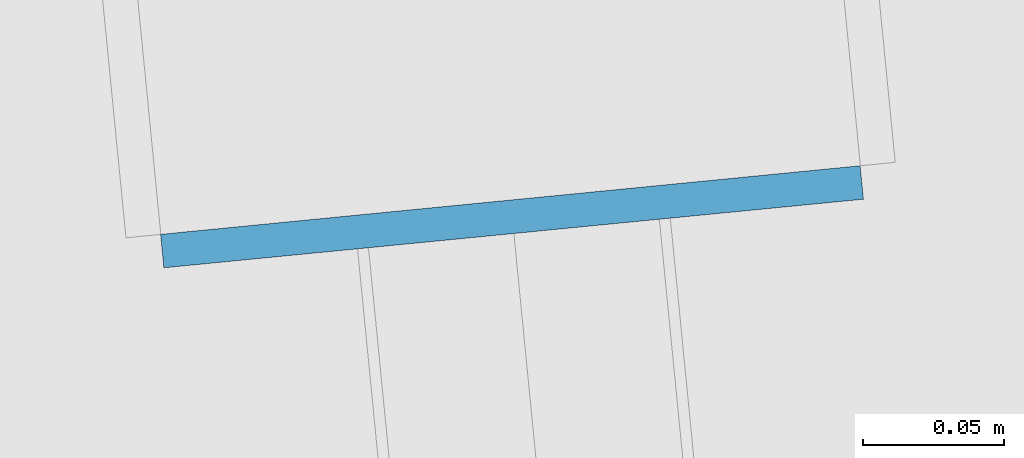
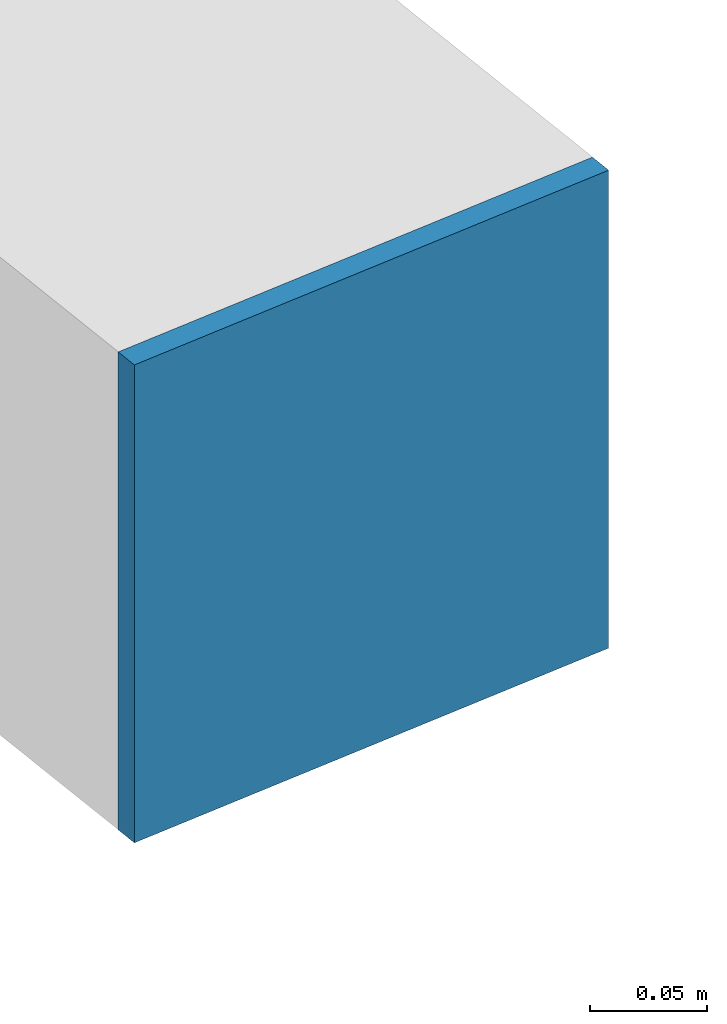
# One storey, part 34 of 47: 1 plate.
"""IFC4 building model written with IfcOpenShell, lengths in metres."""

from ifc_helpers import new_model, si_unit, direction, frame, origin, origin_2d, place, context, subcontext, project, spatial, rectangle, extrude, source, transform, mapped, material, layer, layer_set, type_object, element, save


model = new_model("IFC4")

# Units and contexts
model_context = context("Model", 3, precision=1e-05, world=origin(), true_north=direction((0.0, 1.0)))
body_context = subcontext(model_context, "Body", "Model", "MODEL_VIEW")
ifc_project = project(units=[si_unit("LENGTHUNIT", "METRE"), si_unit("AREAUNIT", "SQUARE_METRE"), si_unit("VOLUMEUNIT", "CUBIC_METRE"), si_unit("PLANEANGLEUNIT", "RADIAN"), si_unit("MASSUNIT", "GRAM", prefix="KILO")], contexts=[model_context])

# Site, building, storey
site_placement = place(None, origin())
site = spatial("IfcSite", under=ifc_project, at=site_placement, CompositionType="ELEMENT")
building_placement = place(site_placement, origin())
building = spatial("IfcBuilding", under=site, at=building_placement, Name="Taldren Reach Tower", CompositionType="ELEMENT")
storey_placement = place(building_placement, frame((0.0, 0.0, 90.300048828125)))
storey = spatial("IfcBuildingStorey", under=building, at=storey_placement, Name="L27", CompositionType="ELEMENT", Elevation=90.300048828125)

# Plate
ifc_material = material(Name="Steel Gr 350 (C350L0)", Category="steel")
ifc_layer = layer(ifc_material, 0.011962890625)
ifc_layer_set = layer_set([ifc_layer], Name="Steel Gr 350 (C350L0)")
plate_type = type_object("IfcPlateType", Name="PL-CAP-250", PredefinedType="SHEET", material=ifc_layer_set)
shared_shape = source(origin(), body_context, "Body", "SweptSolid", [
    extrude(rectangle(XDim=0.25, YDim=0.011962890625, at=origin_2d()), origin(), (0.0, 0.0, 1.0), 0.25),
])
plate_placement = place(storey_placement, frame((34.353515625, 0.2607421875, 0.094970703125), z_axis=(0.0, 0.0, 1.0), x_axis=(0.995227399982, 0.097582899759, 0.0)))
element("IfcPlate", 1, at=plate_placement, inside=storey, type_object=plate_type, Name="Tie strut end cap plate B2-S3 L27", PredefinedType="SHEET", context=body_context, shape_type="MappedRepresentation", body=[
    mapped(shared_shape, transform((0.0, 0.0, 0.0), scale=1.0)),
])

save(model, "model.ifc")
